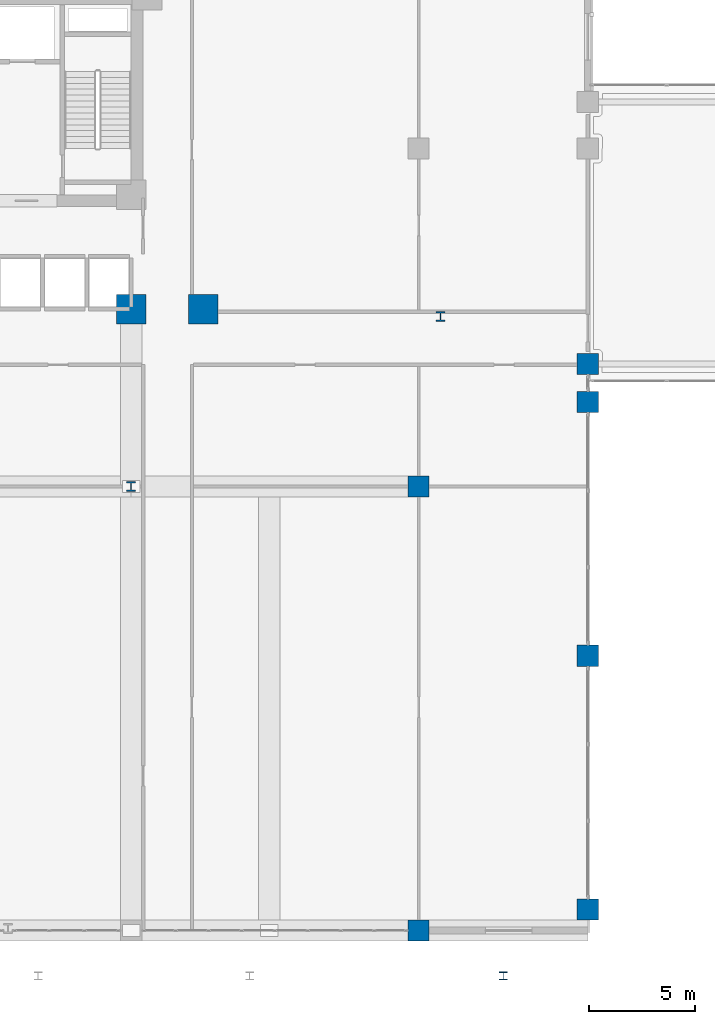
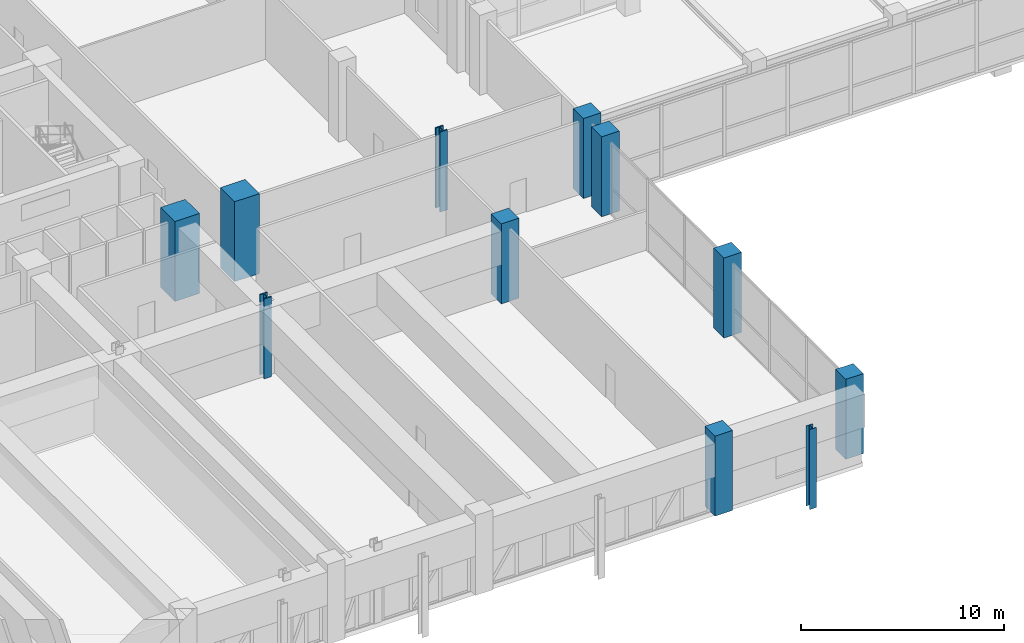
# One storey, part 2 of 44: 11 columns.
"""IFC4 building model written with IfcOpenShell, lengths in metres."""

from ifc_helpers import new_model, si_unit, derived_unit, direction, frame, origin, origin_2d, place, context, subcontext, project, spatial, rectangle, i_section, extrude, source, transform, mapped, material, material_profile, profile_set, type_object, element, save


model = new_model("IFC4")

# Units and contexts
model_context = context("Model", 3, precision=1e-05, world=origin(), true_north=direction((0.0, 1.0)))
body_context = subcontext(model_context, "Body", "Model", "MODEL_VIEW")
ifc_project = project(units=[si_unit("LENGTHUNIT", "METRE"), si_unit("AREAUNIT", "SQUARE_METRE"), si_unit("VOLUMEUNIT", "CUBIC_METRE"), si_unit("PLANEANGLEUNIT", "RADIAN"), si_unit("MASSUNIT", "GRAM", prefix="KILO"), derived_unit("THERMALTRANSMITTANCEUNIT", [(si_unit("POWERUNIT", "WATT"), 1), (si_unit("LENGTHUNIT", "METRE"), -2), (si_unit("THERMODYNAMICTEMPERATUREUNIT", "KELVIN"), -1)])], contexts=[model_context])

# Site, building, storey
site_placement = place(None, origin())
site = spatial("IfcSite", under=ifc_project, at=site_placement, CompositionType="ELEMENT")
building_placement = place(site_placement, origin())
building = spatial("IfcBuilding", under=site, at=building_placement, Name="Korsvarv Bourse and Concert Hall", CompositionType="ELEMENT")
storey_placement = place(building_placement, frame((0.0, 0.0, 9.60009765625)))
storey = spatial("IfcBuildingStorey", under=building, at=storey_placement, Name="L02", CompositionType="ELEMENT", Elevation=9.60009765625)

# Columns
ifc_material_1 = material(Name="Concrete C60/75", Category="concrete")
ifc_material_profile_1 = material_profile(ifc_material_1, rectangle(XDim=1.39990234375, YDim=1.39990234375, at=origin_2d()), Name="RC 1400x1400")
ifc_profile_set_1 = profile_set([ifc_material_profile_1], Name="Concrete C60/75")
column_type_1 = type_object("IfcColumnType", Name="COL-RC1400", PredefinedType="COLUMN", material=ifc_profile_set_1)
shared_shape_1 = source(origin(), body_context, "Body", "SweptSolid", [
    extrude(rectangle(XDim=1.39990234375, YDim=1.39990234375, at=origin_2d()), origin(), (0.0, 0.0, 1.0), 4.7998046875),
])
for number, where, z_axis, x_axis, name in (
    (1, (44.39990234375, 32.39990234375, 0.0), (0.0, 0.0, 1.0), (1.0, 0.0, 0.0), "L02 column C-01"),
    (2, (47.800048828125, 32.39990234375, 0.0), (0.0, 0.0, 1.0), (1.0, 0.0, 0.0), "L02 column C-01"),
):
    element("IfcColumn", number, at=place(storey_placement, frame(where, z_axis=z_axis, x_axis=x_axis)), inside=storey, type_object=column_type_1, Name=name, PredefinedType="COLUMN", context=body_context, shape_type="MappedRepresentation", body=[
        mapped(shared_shape_1, transform((0.0, 0.0, 0.0), scale=1.0)),
    ])
ifc_material_2 = material(Name="Steel S460", Category="steel")
ifc_material_profile_2 = material_profile(ifc_material_2, i_section(OverallWidth=0.424072265625, OverallDepth=0.47412109375, WebThickness=0.044921875, FlangeThickness=0.072021484375, FilletRadius=0.014892578125, at=origin_2d()), Name="HD 400x634")
ifc_profile_set_2 = profile_set([ifc_material_profile_2], Name="Steel S460")
column_type_2 = type_object("IfcColumnType", Name="COL-HD634", PredefinedType="COLUMN", material=ifc_profile_set_2)
shared_shape_2 = source(origin(), body_context, "Body", "SweptSolid", [
    extrude(i_section(OverallWidth=0.424072265625, OverallDepth=0.47412109375, WebThickness=0.044921875, FlangeThickness=0.072021484375, FilletRadius=0.014892578125, at=origin_2d()), origin(), (0.0, 0.0, 1.0), 4.7998046875),
])
for number, where, z_axis, x_axis, name in (
    (3, (44.39990234375, 24.0, 0.0), (0.0, 0.0, 1.0), (1.0, 0.0, 0.0), "L02 column C-07"),
    (4, (59.029541015625, 32.05419921875, 0.0), (0.0, 0.0, 1.0), (1.0, 0.0, 0.0), "L02 column C-07"),
):
    element("IfcColumn", number, at=place(storey_placement, frame(where, z_axis=z_axis, x_axis=x_axis)), inside=storey, type_object=column_type_2, Name=name, PredefinedType="COLUMN", context=body_context, shape_type="MappedRepresentation", body=[
        mapped(shared_shape_2, transform((0.0, 0.0, 0.0), scale=1.0)),
    ])
ifc_material_3 = material(Name="Concrete C55/67", Category="concrete")
ifc_material_profile_3 = material_profile(ifc_material_3, rectangle(XDim=1.0, YDim=1.0, at=origin_2d()), Name="RC 1000x1000")
ifc_profile_set_3 = profile_set([ifc_material_profile_3], Name="Concrete C55/67")
column_type_3 = type_object("IfcColumnType", Name="COL-RC1000", PredefinedType="COLUMN", material=ifc_profile_set_3)
shared_shape_3 = source(origin(), body_context, "Body", "SweptSolid", [
    extrude(rectangle(XDim=1.0, YDim=1.0, at=origin_2d()), origin(), (0.0, 0.0, 1.0), 4.7998046875),
])
for number, where, z_axis, x_axis, name in (
    (5, (66.0, 4.0, 0.0), (0.0, 0.0, 1.0), (1.0, 0.0, 0.0), "L02 column C-03"),
    (6, (66.0, 16.0, 0.0), (0.0, 0.0, 1.0), (1.0, 0.0, 0.0), "L02 column C-03"),
    (7, (66.0, 28.0, 0.0), (0.0, 0.0, 1.0), (1.0, 0.0, 0.0), "L02 column C-03"),
    (8, (58.0, 3.0, 0.0), (0.0, 0.0, 1.0), (1.0, 0.0, 0.0), "L02 column C-03"),
    (9, (58.0, 24.0, 0.0), (0.0, 0.0, 1.0), (1.0, 0.0, 0.0), "L02 column C-03"),
    (10, (66.0, 29.800048828125, 0.0), (0.0, 0.0, 1.0), (1.0, 0.0, 0.0), "L02 column C-03"),
):
    element("IfcColumn", number, at=place(storey_placement, frame(where, z_axis=z_axis, x_axis=x_axis)), inside=storey, type_object=column_type_3, Name=name, PredefinedType="COLUMN", context=body_context, shape_type="MappedRepresentation", body=[
        mapped(shared_shape_3, transform((0.0, 0.0, 0.0), scale=1.0)),
    ])
ifc_material_4 = material(Name="Steel S355", Category="steel")
ifc_material_profile_4 = material_profile(ifc_material_4, i_section(OverallWidth=0.3740234375, OverallDepth=0.3798828125, WebThickness=0.01953125, FlangeThickness=0.031005859375, FilletRadius=0.014892578125, at=origin_2d()), Name="HD 360x262")
ifc_profile_set_4 = profile_set([ifc_material_profile_4], Name="Steel S355")
column_type_4 = type_object("IfcColumnType", Name="COL-PIL360", PredefinedType="PILASTER", material=ifc_profile_set_4)
shared_shape_4 = source(origin(), body_context, "Body", "SweptSolid", [
    extrude(i_section(OverallWidth=0.3740234375, OverallDepth=0.3798828125, WebThickness=0.01953125, FlangeThickness=0.031005859375, FilletRadius=0.014892578125, at=origin_2d()), origin(), (0.0, 0.0, 1.0), 4.7998046875),
])
column_placement = place(storey_placement, frame((62.0, 0.85009765625, 0.0), z_axis=(0.0, 0.0, 1.0), x_axis=(1.0, 0.0, 0.0)))
element("IfcColumn", 11, at=column_placement, inside=storey, type_object=column_type_4, Name="L02 column C-12", PredefinedType="PILASTER", context=body_context, shape_type="MappedRepresentation", body=[
    mapped(shared_shape_4, transform((0.0, 0.0, 0.0), scale=1.0)),
])

save(model, "model.ifc")
